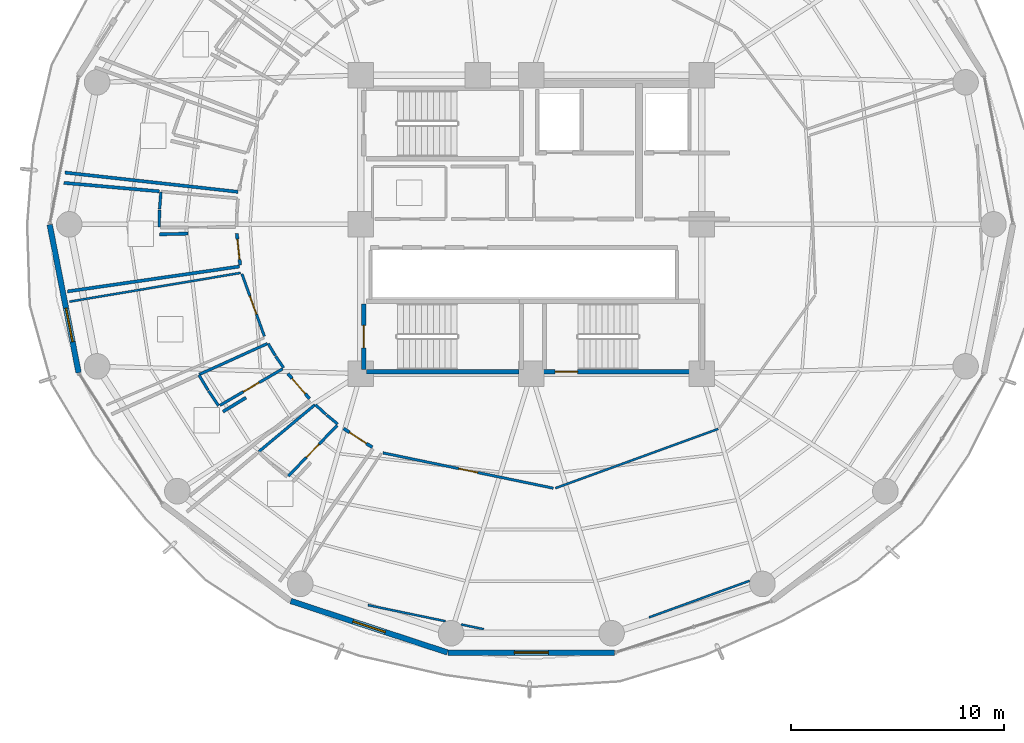
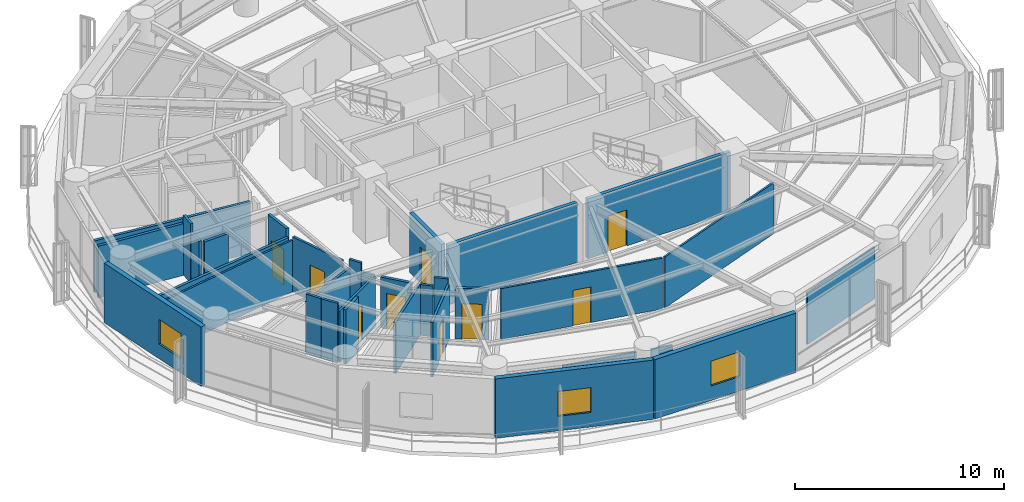
# One storey, part 21 of 28: 33 walls, 9 doors, 3 windows, 12 openings.
"""IFC4 building model written with IfcOpenShell, lengths in metres."""

from ifc_helpers import new_model, si_unit, direction, frame, frame_2d, origin, place, context, subcontext, project, spatial, rectangle, extrude, material, layer, layer_set, type_object, element, fill, save


model = new_model("IFC4")

# Units and contexts
model_context = context("Model", 3, precision=1e-05, world=origin(), true_north=direction((0.0, 1.0)))
body_context = subcontext(model_context, "Body", "Model", "MODEL_VIEW")
ifc_project = project(units=[si_unit("LENGTHUNIT", "METRE"), si_unit("AREAUNIT", "SQUARE_METRE"), si_unit("VOLUMEUNIT", "CUBIC_METRE"), si_unit("PLANEANGLEUNIT", "RADIAN"), si_unit("MASSUNIT", "GRAM", prefix="KILO")], contexts=[model_context])

# Site, building, storey
site_placement = place(None, origin())
site = spatial("IfcSite", under=ifc_project, at=site_placement, CompositionType="ELEMENT")
building_placement = place(site_placement, origin())
building = spatial("IfcBuilding", under=site, at=building_placement, Name="Kelanora Arch Commons", CompositionType="ELEMENT")
storey_placement = place(building_placement, frame((0.0, 0.0, 176.85009765625)))
storey = spatial("IfcBuildingStorey", under=building, at=storey_placement, Name="L45", CompositionType="ELEMENT", Elevation=176.85009765625)

# Wall, opening, door
ifc_material_1 = material(Name="Autoclaved aerated concrete blockwork with fire plaster", Category="masonry")
ifc_layer_1 = layer(ifc_material_1, 0.14990234375)
ifc_layer_set_1 = layer_set([ifc_layer_1], Name="Autoclaved aerated concrete blockwork with fire plaster")
wall_type_1 = type_object("IfcWallType", Name="W-COMP-150", PredefinedType="PARTITIONING", material=ifc_layer_set_1)
wall_1_placement = place(storey_placement, frame((60.182373046875, 57.568359375, 0.0), z_axis=(0.0, 0.0, 1.0), x_axis=(0.104940843895, -0.994478465972, 0.0)))
wall_1 = element("IfcWall", 1, at=wall_1_placement, inside=storey, type_object=wall_type_1, Name="Cluster Bedroom L45-04 Entry Partition", PredefinedType="PARTITIONING", context=body_context, shape_type="SweptSolid", body=[
    extrude(rectangle(XDim=1.489013671875, YDim=0.14990234375, at=frame_2d((0.74462890625, 0.0))), origin(), (0.0, 0.0, 1.0), 3.47998046875),
])
opening_1_placement = place(wall_1_placement, frame((0.26904296875, 0.0, 0.0)))
opening_1 = element("IfcOpeningElement", 2, at=opening_1_placement, cuts=wall_1, Name="Opening D-CLU1", PredefinedType="OPENING", context=body_context, shape_type="SweptSolid", body=[
    extrude(rectangle(XDim=0.949951171875, YDim=2.080078125, at=frame_2d((0.47509765625, 1.0400390625))), frame((0.0, 0.0849609375, 0.0), z_axis=(0.0, -1.0, 0.0), x_axis=(1.0, 0.0, 0.0)), (0.0, 0.0, 1.0), 0.169921875),
])
ifc_material_2 = material(Name="Solid-core acoustic timber cluster entry fire door", Category="wood")
door_type_1 = type_object("IfcDoorType", Name="D-CLU-95", OperationType="NOTDEFINED", PredefinedType="DOOR", material=ifc_material_2)
door_1_placement = place(opening_1_placement, origin())
door_1 = element("IfcDoor", 3, at=door_1_placement, inside=storey, type_object=door_type_1, Name="Cluster Bedroom L45-04 Door", OperationType="SINGLE_SWING_LEFT", OverallHeight=2.080078125, OverallWidth=0.949951171875, PredefinedType="DOOR", context=body_context, shape_type="SweptSolid", body=[
    extrude(rectangle(XDim=0.949951171875, YDim=2.080078125, at=frame_2d((0.47509765625, 1.0400390625))), frame((0.0, 0.02490234375, 0.0), z_axis=(0.0, -1.0, 0.0), x_axis=(1.0, 0.0, 0.0)), (0.0, 0.0, 1.0), 0.050048828125),
])
fill(opening_1, door_1)

wall_2_placement = place(storey_placement, frame((62.5771484375, 50.99853515625, 0.0), z_axis=(0.0, 0.0, 1.0), x_axis=(0.652725635782, -0.757594379859, 0.0)))
wall_2 = element("IfcWall", 4, at=wall_2_placement, inside=storey, type_object=wall_type_1, Name="Cluster Bedroom L45-06 Entry Partition", PredefinedType="PARTITIONING", context=body_context, shape_type="SweptSolid", body=[
    extrude(rectangle(XDim=1.557373046875, YDim=0.14990234375, at=frame_2d((0.77880859375, 0.0))), origin(), (0.0, 0.0, 1.0), 2.974853515625),
])
opening_2_placement = place(wall_2_placement, frame((0.303955078125, 0.0, 0.0)))
opening_2 = element("IfcOpeningElement", 5, at=opening_2_placement, cuts=wall_2, Name="Opening D-CLU1", PredefinedType="OPENING", context=body_context, shape_type="SweptSolid", body=[
    extrude(rectangle(XDim=0.949951171875, YDim=2.080078125, at=frame_2d((0.47509765625, 1.0400390625))), frame((0.0, 0.0849609375, 0.0), z_axis=(0.0, -1.0, 0.0), x_axis=(1.0, 0.0, 0.0)), (0.0, 0.0, 1.0), 0.169921875),
])
door_2_placement = place(opening_2_placement, origin())
door_2 = element("IfcDoor", 6, at=door_2_placement, inside=storey, type_object=door_type_1, Name="Cluster Bedroom L45-06 Door", OperationType="SINGLE_SWING_RIGHT", OverallHeight=2.080078125, OverallWidth=0.949951171875, PredefinedType="DOOR", context=body_context, shape_type="SweptSolid", body=[
    extrude(rectangle(XDim=0.949951171875, YDim=2.080078125, at=frame_2d((0.47509765625, 1.0400390625))), frame((0.0, 0.02490234375, 0.0), z_axis=(0.0, -1.0, 0.0), x_axis=(1.0, 0.0, 0.0)), (0.0, 0.0, 1.0), 0.050048828125),
])
fill(opening_2, door_2)

wall_3_placement = place(storey_placement, frame((65.1953125, 48.419189453125, 0.0), z_axis=(0.0, 0.0, 1.0), x_axis=(0.836324272787, -0.548235087118, 0.0)))
wall_3 = element("IfcWall", 7, at=wall_3_placement, inside=storey, type_object=wall_type_1, Name="Cluster Bedroom L45-07 Entry Partition", PredefinedType="PARTITIONING", context=body_context, shape_type="SweptSolid", body=[
    extrude(rectangle(XDim=1.607666015625, YDim=0.14990234375, at=frame_2d((0.8037109375, 0.0))), origin(), (0.0, 0.0, 1.0), 2.974853515625),
])
opening_3_placement = place(wall_3_placement, frame((0.3291015625, 0.0, 0.0)))
opening_3 = element("IfcOpeningElement", 8, at=opening_3_placement, cuts=wall_3, Name="Opening D-CLU1", PredefinedType="OPENING", context=body_context, shape_type="SweptSolid", body=[
    extrude(rectangle(XDim=0.949951171875, YDim=2.080078125, at=frame_2d((0.47509765625, 1.0400390625))), frame((0.0, 0.0849609375, 0.0), z_axis=(0.0, -1.0, 0.0), x_axis=(1.0, 0.0, 0.0)), (0.0, 0.0, 1.0), 0.169921875),
])
door_3_placement = place(opening_3_placement, origin())
door_3 = element("IfcDoor", 9, at=door_3_placement, inside=storey, type_object=door_type_1, Name="Cluster Bedroom L45-07 Door", OperationType="SINGLE_SWING_RIGHT", OverallHeight=2.080078125, OverallWidth=0.949951171875, PredefinedType="DOOR", context=body_context, shape_type="SweptSolid", body=[
    extrude(rectangle(XDim=0.949951171875, YDim=2.080078125, at=frame_2d((0.47509765625, 1.0400390625))), frame((0.0, 0.02490234375, 0.0), z_axis=(0.0, -1.0, 0.0), x_axis=(1.0, 0.0, 0.0)), (0.0, 0.0, 1.0), 0.050048828125),
])
fill(opening_3, door_3)

# Walls
wall_4_placement = place(storey_placement, frame((60.234130859375, 59.525390625, 0.0), z_axis=(0.0, 0.0, 1.0), x_axis=(-0.99385157858, 0.110720548017, 0.0)))
element("IfcWall", 10, at=wall_4_placement, inside=storey, type_object=wall_type_1, Name="Cluster Bedroom L45-03 Enclosure Partition 2", PredefinedType="PARTITIONING", context=body_context, shape_type="SweptSolid", body=[
    extrude(rectangle(XDim=8.158447265625, YDim=0.14990234375, at=frame_2d((4.0791015625, 0.0))), origin(), (0.0, 0.0, 1.0), 3.02490234375),
])
wall_5_placement = place(storey_placement, frame((60.305419921875, 56.022216796875, 0.0), z_axis=(0.0, 0.0, 1.0), x_axis=(-0.989635565405, -0.143601698061, 0.0)))
element("IfcWall", 11, at=wall_5_placement, inside=storey, type_object=wall_type_1, Name="Cluster Bedroom L45-04 Enclosure Partition 2", PredefinedType="PARTITIONING", context=body_context, shape_type="SweptSolid", body=[
    extrude(rectangle(XDim=8.150390625, YDim=0.14990234375, at=frame_2d((4.0751953125, 0.0))), origin(), (0.0, 0.0, 1.0), 3.02490234375),
])
wall_6_placement = place(storey_placement, frame((52.06591796875, 59.946533203125, 0.0), z_axis=(0.0, 0.0, 1.0), x_axis=(0.996054097512, -0.088748153952, 0.0)))
element("IfcWall", 12, at=wall_6_placement, inside=storey, type_object=wall_type_1, Name="Cluster Bedroom L45-04 Enclosure Partition 5", PredefinedType="PARTITIONING", context=body_context, shape_type="SweptSolid", body=[
    extrude(rectangle(XDim=4.4951171875, YDim=0.14990234375, at=frame_2d((2.24755859375, 0.0))), origin(), (0.0, 0.0, 1.0), 3.02490234375),
])
wall_7_placement = place(storey_placement, frame((56.547119140625, 57.530029296875, 0.0), z_axis=(0.0, 0.0, 1.0), x_axis=(0.999637471643, 0.026924436601, 0.0)))
element("IfcWall", 13, at=wall_7_placement, inside=storey, type_object=wall_type_1, Name="Cluster Bedroom L45-04 Enclosure Partition 7", PredefinedType="PARTITIONING", context=body_context, shape_type="SweptSolid", body=[
    extrude(rectangle(XDim=1.35107421875, YDim=0.14990234375, at=frame_2d((0.675537109375, 0.0))), origin(), (0.0, 0.0, 1.0), 3.1748046875),
])
wall_8_placement = place(storey_placement, frame((59.5302734375, 49.209716796875, 0.0), z_axis=(0.0, 0.0, 1.0), x_axis=(0.853704464487, 0.520757801012, 0.0)))
element("IfcWall", 14, at=wall_8_placement, inside=storey, type_object=wall_type_1, Name="Cluster Bedroom L45-06 Enclosure Partition 7", PredefinedType="PARTITIONING", context=body_context, shape_type="SweptSolid", body=[
    extrude(rectangle(XDim=1.27001953125, YDim=0.14990234375, at=frame_2d((0.635009765625, 0.0))), origin(), (0.0, 0.0, 1.0), 3.1748046875),
])

# Wall, opening, window
ifc_material_3 = material(Name="Precast concrete C40/50 with terracotta rainscreen", Category="masonry")
ifc_layer_2 = layer(ifc_material_3, 0.260009765625)
ifc_layer_set_2 = layer_set([ifc_layer_2], Name="Precast concrete C40/50 with terracotta rainscreen")
wall_type_2 = type_object("IfcWallType", Name="W-EXT-TC", PredefinedType="SOLIDWALL", material=ifc_layer_set_2)
wall_9_placement = place(storey_placement, frame((51.40283203125, 57.9853515625, 0.0), z_axis=(0.0, 0.0, 1.0), x_axis=(0.191716984769, -0.981450252306, 0.0)))
wall_9 = element("IfcWall", 15, at=wall_9_placement, inside=storey, type_object=wall_type_2, Name="Terracotta Exterior Wall L45-B09", PredefinedType="SOLIDWALL", context=body_context, shape_type="SweptSolid", body=[
    extrude(rectangle(XDim=7.0791015625, YDim=0.260009765625, at=frame_2d((3.53955078125, 0.0))), origin(), (0.0, 0.0, 1.0), 3.474853515625),
])
opening_4_placement = place(wall_9_placement, frame((4.0, 0.0, 0.85009765625)))
opening_4 = element("IfcOpeningElement", 16, at=opening_4_placement, cuts=wall_9, Name="Opening WN-01", PredefinedType="OPENING", context=body_context, shape_type="SweptSolid", body=[
    extrude(rectangle(XDim=1.60009765625, YDim=1.449951171875, at=frame_2d((0.800048828125, 0.72509765625))), frame((0.0, 0.14013671875, 0.0), z_axis=(0.0, -1.0, 0.0), x_axis=(1.0, 0.0, 0.0)), (0.0, 0.0, 1.0), 0.280029296875),
])
ifc_material_4 = material(Name="Terracotta-anodised aluminium frame with operable low-E glazing", Category="masonry")
window_type = type_object("IfcWindowType", Name="WIN-CL-18", PartitioningType="DOUBLE_PANEL_VERTICAL", PredefinedType="WINDOW", material=ifc_material_4)
window_1_placement = place(opening_4_placement, origin())
window_1 = element("IfcWindow", 17, at=window_1_placement, inside=storey, type_object=window_type, Name="Co-Living Operable Window L45-B09", OverallHeight=1.449951171875, OverallWidth=1.60009765625, PartitioningType="SINGLE_PANEL", PredefinedType="WINDOW", context=body_context, shape_type="SweptSolid", body=[
    extrude(rectangle(XDim=1.60009765625, YDim=1.449951171875, at=frame_2d((0.800048828125, 0.72509765625))), frame((0.0, 0.030029296875, 0.0), z_axis=(0.0, -1.0, 0.0), x_axis=(1.0, 0.0, 0.0)), (0.0, 0.0, 1.0), 0.06005859375),
])
fill(opening_4, window_1)

wall_10_placement = place(storey_placement, frame((62.71435546875, 40.328369140625, 0.0), z_axis=(0.0, 0.0, 1.0), x_axis=(0.950038302428, -0.312133343173, 0.0)))
wall_10 = element("IfcWall", 18, at=wall_10_placement, inside=storey, type_object=wall_type_2, Name="Terracotta Exterior Wall L45-B12", PredefinedType="SOLIDWALL", context=body_context, shape_type="SweptSolid", body=[
    extrude(rectangle(XDim=7.7333984375, YDim=0.260009765625, at=frame_2d((3.86669921875, 0.0))), origin(), (0.0, 0.0, 1.0), 3.474853515625),
])
opening_5_placement = place(wall_10_placement, frame((3.06689453125, 0.0, 0.85009765625)))
opening_5 = element("IfcOpeningElement", 19, at=opening_5_placement, cuts=wall_10, Name="Opening WN-01", PredefinedType="OPENING", context=body_context, shape_type="SweptSolid", body=[
    extrude(rectangle(XDim=1.60009765625, YDim=1.449951171875, at=frame_2d((0.800048828125, 0.72509765625))), frame((0.0, 0.14013671875, 0.0), z_axis=(0.0, -1.0, 0.0), x_axis=(1.0, 0.0, 0.0)), (0.0, 0.0, 1.0), 0.280029296875),
])
window_2_placement = place(opening_5_placement, origin())
window_2 = element("IfcWindow", 20, at=window_2_placement, inside=storey, type_object=window_type, Name="Co-Living Operable Window L45-B12", OverallHeight=1.449951171875, OverallWidth=1.60009765625, PartitioningType="SINGLE_PANEL", PredefinedType="WINDOW", context=body_context, shape_type="SweptSolid", body=[
    extrude(rectangle(XDim=1.60009765625, YDim=1.449951171875, at=frame_2d((0.800048828125, 0.72509765625))), frame((0.0, 0.030029296875, 0.0), z_axis=(0.0, -1.0, 0.0), x_axis=(1.0, 0.0, 0.0)), (0.0, 0.0, 1.0), 0.06005859375),
])
fill(opening_5, window_2)

wall_11_placement = place(storey_placement, frame((70.090576171875, 37.909912109375, 0.0), z_axis=(0.0, 0.0, 1.0), x_axis=(1.0, 0.0, 0.0)))
wall_11 = element("IfcWall", 21, at=wall_11_placement, inside=storey, type_object=wall_type_2, Name="Terracotta Exterior Wall L45-B13", PredefinedType="SOLIDWALL", context=body_context, shape_type="SweptSolid", body=[
    extrude(rectangle(XDim=7.81884765625, YDim=0.260009765625, at=frame_2d((3.909423828125, 0.0))), origin(), (0.0, 0.0, 1.0), 3.474853515625),
])
opening_6_placement = place(wall_11_placement, frame((3.10888671875, 0.0, 0.85009765625)))
opening_6 = element("IfcOpeningElement", 22, at=opening_6_placement, cuts=wall_11, Name="Opening WN-01", PredefinedType="OPENING", context=body_context, shape_type="SweptSolid", body=[
    extrude(rectangle(XDim=1.60009765625, YDim=1.449951171875, at=frame_2d((0.800048828125, 0.72509765625))), frame((0.0, 0.14013671875, 0.0), z_axis=(0.0, -1.0, 0.0), x_axis=(1.0, 0.0, 0.0)), (0.0, 0.0, 1.0), 0.280029296875),
])
window_3_placement = place(opening_6_placement, origin())
window_3 = element("IfcWindow", 23, at=window_3_placement, inside=storey, type_object=window_type, Name="Co-Living Operable Window L45-B13", OverallHeight=1.449951171875, OverallWidth=1.60009765625, PartitioningType="SINGLE_PANEL", PredefinedType="WINDOW", context=body_context, shape_type="SweptSolid", body=[
    extrude(rectangle(XDim=1.60009765625, YDim=1.449951171875, at=frame_2d((0.800048828125, 0.72509765625))), frame((0.0, 0.030029296875, 0.0), z_axis=(0.0, -1.0, 0.0), x_axis=(1.0, 0.0, 0.0)), (0.0, 0.0, 1.0), 0.06005859375),
])
fill(opening_6, window_3)

# Walls
ifc_material_5 = material(Name="Lightweight fire-rated acoustic stud partition")
ifc_layer_3 = layer(ifc_material_5, 0.10009765625)
ifc_layer_set_3 = layer_set([ifc_layer_3], Name="Lightweight fire-rated acoustic stud partition")
wall_type_3 = type_object("IfcWallType", Name="W-PART-100", PredefinedType="PARTITIONING", material=ifc_layer_set_3)
wall_12_placement = place(storey_placement, frame((75.128662109375, 45.622802734375, 0.0), z_axis=(0.0, 0.0, 1.0), x_axis=(0.939734662541, 0.341904612458, 0.0)))
element("IfcWall", 24, at=wall_12_placement, inside=storey, type_object=wall_type_3, Name="South-East Shared Study Commons L45 Enclosure Partition 2", PredefinedType="PARTITIONING", context=body_context, shape_type="SweptSolid", body=[
    extrude(rectangle(XDim=8.129638671875, YDim=0.10009765625, at=frame_2d((4.06494140625, 0.0))), origin(), (0.0, 0.0, 1.0), 2.974853515625),
])
wall_13_placement = place(storey_placement, frame((84.232421875, 41.2763671875, 0.0), z_axis=(0.0, 0.0, 1.0), x_axis=(-0.939540154598, -0.34243875058, 0.0)))
element("IfcWall", 25, at=wall_13_placement, inside=storey, type_object=wall_type_3, Name="South-East Shared Study Commons L45 Enclosure Partition 8", PredefinedType="PARTITIONING", context=body_context, shape_type="SweptSolid", body=[
    extrude(rectangle(XDim=5.014892578125, YDim=0.10009765625, at=frame_2d((2.50732421875, 0.0))), origin(), (0.0, 0.0, 1.0), 3.02490234375),
])
wall_14_placement = place(storey_placement, frame((71.762939453125, 39.00830078125, 0.0), z_axis=(0.0, 0.0, 1.0), x_axis=(-0.9791024376, 0.203367688401, 0.0)))
element("IfcWall", 26, at=wall_14_placement, inside=storey, type_object=wall_type_3, Name="South-East Shared Study Commons L45 Enclosure Partition 9", PredefinedType="PARTITIONING", context=body_context, shape_type="SweptSolid", body=[
    extrude(rectangle(XDim=1.080322265625, YDim=0.10009765625, at=frame_2d((0.5400390625, 0.0))), origin(), (0.0, 0.0, 1.0), 3.02490234375),
])
wall_15_placement = place(storey_placement, frame((69.968505859375, 39.381103515625, 0.0), z_axis=(0.0, 0.0, 1.0), x_axis=(-0.979112814655, 0.203317722241, 0.0)))
element("IfcWall", 27, at=wall_15_placement, inside=storey, type_object=wall_type_3, Name="South-East Shared Study Commons L45 Enclosure Partition 9", PredefinedType="PARTITIONING", context=body_context, shape_type="SweptSolid", body=[
    extrude(rectangle(XDim=3.706787109375, YDim=0.10009765625, at=frame_2d((1.853515625, 0.0))), origin(), (0.0, 0.0, 1.0), 3.02490234375),
])
wall_16_placement = place(storey_placement, frame((52.331298828125, 54.37353515625, 0.0), z_axis=(0.0, 0.0, 1.0), x_axis=(0.986190638786, 0.165614081438, 0.0)))
element("IfcWall", 28, at=wall_16_placement, inside=storey, type_object=wall_type_3, Name="Shared Cluster Kitchen L45-05 Enclosure Partition 4", PredefinedType="PARTITIONING", context=body_context, shape_type="SweptSolid", body=[
    extrude(rectangle(XDim=8.144775390625, YDim=0.10009765625, at=frame_2d((4.072265625, 0.0))), origin(), (0.0, 0.0, 1.0), 3.02490234375),
])

# Wall, opening, door
ifc_material_6 = material(Name="Acoustic twin-stud fire-rated gypsum partition")
ifc_layer_4 = layer(ifc_material_6, 0.1201171875)
ifc_layer_set_4 = layer_set([ifc_layer_4], Name="Acoustic twin-stud fire-rated gypsum partition")
wall_type_4 = type_object("IfcWallType", Name="W-PART-120", PredefinedType="PARTITIONING", material=ifc_layer_set_4)
wall_17_placement = place(storey_placement, frame((67.039794921875, 47.27783203125, 0.0), z_axis=(0.0, 0.0, 1.0), x_axis=(0.979184226645, -0.202973521154, 0.0)))
wall_17 = element("IfcWall", 29, at=wall_17_placement, inside=storey, type_object=wall_type_4, Name="South-East Shared Study Commons L45 Entry Partition", PredefinedType="PARTITIONING", context=body_context, shape_type="SweptSolid", body=[
    extrude(rectangle(XDim=8.162353515625, YDim=0.1201171875, at=frame_2d((4.0810546875, 0.0))), origin(), (0.0, 0.0, 1.0), 2.974853515625),
])
opening_7_placement = place(wall_17_placement, frame((3.631103515625, 0.0, 0.0)))
opening_7 = element("IfcOpeningElement", 30, at=opening_7_placement, cuts=wall_17, Name="Opening D-RM1", PredefinedType="OPENING", context=body_context, shape_type="SweptSolid", body=[
    extrude(rectangle(XDim=0.89990234375, YDim=2.080078125, at=frame_2d((0.449951171875, 1.0400390625))), frame((0.0, 0.070068359375, 0.0), z_axis=(0.0, -1.0, 0.0), x_axis=(1.0, 0.0, 0.0)), (0.0, 0.0, 1.0), 0.14013671875),
])
ifc_material_7 = material(Name="Acoustic fire-rated timber study and lounge door", Category="wood")
door_type_2 = type_object("IfcDoorType", Name="D-ROOM-90", OperationType="NOTDEFINED", PredefinedType="DOOR", material=ifc_material_7)
door_4_placement = place(opening_7_placement, origin())
door_4 = element("IfcDoor", 31, at=door_4_placement, inside=storey, type_object=door_type_2, Name="South-East Shared Study Commons L45 Door", OperationType="SINGLE_SWING_RIGHT", OverallHeight=2.080078125, OverallWidth=0.89990234375, PredefinedType="DOOR", context=body_context, shape_type="SweptSolid", body=[
    extrude(rectangle(XDim=0.89990234375, YDim=2.080078125, at=frame_2d((0.449951171875, 1.0400390625))), frame((0.0, 0.02490234375, 0.0), z_axis=(0.0, -1.0, 0.0), x_axis=(1.0, 0.0, 0.0)), (0.0, 0.0, 1.0), 0.050048828125),
])
fill(opening_7, door_4)

wall_18_placement = place(storey_placement, frame((60.42333984375, 55.672607421875, 0.0), z_axis=(0.0, 0.0, 1.0), x_axis=(0.338221551274, -0.941066513193, 0.0)))
wall_18 = element("IfcWall", 32, at=wall_18_placement, inside=storey, type_object=wall_type_4, Name="Shared Cluster Kitchen L45-05 Entry Partition", PredefinedType="PARTITIONING", context=body_context, shape_type="SweptSolid", body=[
    extrude(rectangle(XDim=3.108154296875, YDim=0.1201171875, at=frame_2d((1.55419921875, 0.0))), origin(), (0.0, 0.0, 1.0), 3.23486328125),
])
opening_8_placement = place(wall_18_placement, frame((1.10400390625, 0.0, 0.0)))
opening_8 = element("IfcOpeningElement", 33, at=opening_8_placement, cuts=wall_18, Name="Opening D-RM1", PredefinedType="OPENING", context=body_context, shape_type="SweptSolid", body=[
    extrude(rectangle(XDim=0.89990234375, YDim=2.080078125, at=frame_2d((0.449951171875, 1.0400390625))), frame((0.0, 0.070068359375, 0.0), z_axis=(0.0, -1.0, 0.0), x_axis=(1.0, 0.0, 0.0)), (0.0, 0.0, 1.0), 0.14013671875),
])
door_5_placement = place(opening_8_placement, origin())
door_5 = element("IfcDoor", 34, at=door_5_placement, inside=storey, type_object=door_type_2, Name="Shared Cluster Kitchen L45-05 Door", OperationType="SINGLE_SWING_RIGHT", OverallHeight=2.080078125, OverallWidth=0.89990234375, PredefinedType="DOOR", context=body_context, shape_type="SweptSolid", body=[
    extrude(rectangle(XDim=0.89990234375, YDim=2.080078125, at=frame_2d((0.449951171875, 1.0400390625))), frame((0.0, 0.02490234375, 0.0), z_axis=(0.0, -1.0, 0.0), x_axis=(1.0, 0.0, 0.0)), (0.0, 0.0, 1.0), 0.050048828125),
])
fill(opening_8, door_5)

ifc_material_8 = material(Name="Concrete C40/50", Category="concrete")
ifc_layer_5 = layer(ifc_material_8, 0.199951171875)
ifc_layer_set_5 = layer_set([ifc_layer_5], Name="Concrete C40/50")
wall_type_5 = type_object("IfcWallType", Name="W-STAIR-200", PredefinedType="SHEAR", material=ifc_layer_set_5)
wall_19_placement = place(storey_placement, frame((74.0, 51.080078125, 0.0), z_axis=(0.0, 0.0, 1.0), x_axis=(1.0, 0.0, 0.0)))
wall_19 = element("IfcWall", 35, at=wall_19_placement, inside=storey, type_object=wall_type_5, Name="Stair ST-T2 Shaft Wall S L45", PredefinedType="SHEAR", context=body_context, shape_type="SweptSolid", body=[
    extrude(rectangle(XDim=7.89990234375, YDim=0.199951171875, at=frame_2d((3.949951171875, 0.0))), origin(), (0.0, 0.0, 1.0), 3.489990234375),
])
opening_9_placement = place(wall_19_placement, frame((1.1201171875, 0.0, 0.0)))
opening_9 = element("IfcOpeningElement", 36, at=opening_9_placement, cuts=wall_19, Name="Opening D-ST1", PredefinedType="OPENING", context=body_context, shape_type="SweptSolid", body=[
    extrude(rectangle(XDim=1.050048828125, YDim=2.10009765625, at=frame_2d((0.52490234375, 1.050048828125))), frame((0.0, 0.10986328125, 0.0), z_axis=(0.0, -1.0, 0.0), x_axis=(1.0, 0.0, 0.0)), (0.0, 0.0, 1.0), 0.219970703125),
])
ifc_material_9 = material(Name="Steel fire-rated stairwell escape door", Category="steel")
door_type_3 = type_object("IfcDoorType", Name="D-STAIR-110", OperationType="NOTDEFINED", PredefinedType="DOOR", material=ifc_material_9)
door_6_placement = place(opening_9_placement, origin())
door_6 = element("IfcDoor", 37, at=door_6_placement, inside=storey, type_object=door_type_3, Name="Stair ST-T2 Escape Door L45", OperationType="SINGLE_SWING_LEFT", OverallHeight=2.10009765625, OverallWidth=1.050048828125, PredefinedType="DOOR", context=body_context, shape_type="SweptSolid", body=[
    extrude(rectangle(XDim=1.050048828125, YDim=2.10009765625, at=frame_2d((0.52490234375, 1.050048828125))), frame((0.0, 0.02490234375, 0.0), z_axis=(0.0, -1.0, 0.0), x_axis=(1.0, 0.0, 0.0)), (0.0, 0.0, 1.0), 0.050048828125),
])
fill(opening_9, door_6)

# Wall
wall_20_placement = place(storey_placement, frame((66.260009765625, 51.080078125, 0.0), z_axis=(0.0, 0.0, 1.0), x_axis=(1.0, 0.0, 0.0)))
element("IfcWall", 38, at=wall_20_placement, inside=storey, type_object=wall_type_5, Name="Stair ST-T3 Shaft Wall S L45", PredefinedType="SHEAR", context=body_context, shape_type="SweptSolid", body=[
    extrude(rectangle(XDim=7.159912109375, YDim=0.199951171875, at=frame_2d((3.580078125, 0.0))), origin(), (0.0, 0.0, 1.0), 3.489990234375),
])

# Wall, opening, door
wall_21_placement = place(storey_placement, frame((66.139892578125, 54.27001953125, 0.0), z_axis=(0.0, 0.0, 1.0), x_axis=(0.0, -1.0, 0.0)))
wall_21 = element("IfcWall", 39, at=wall_21_placement, inside=storey, type_object=wall_type_5, Name="Stair ST-T3 Shaft Wall W L45", PredefinedType="SHEAR", context=body_context, shape_type="SweptSolid", body=[
    extrude(rectangle(XDim=3.070068359375, YDim=0.199951171875, at=frame_2d((1.53515625, 0.0))), origin(), (0.0, 0.0, 1.0), 3.489990234375),
])
opening_10_placement = place(wall_21_placement, frame((1.010009765625, 0.0, 0.0)))
opening_10 = element("IfcOpeningElement", 40, at=opening_10_placement, cuts=wall_21, Name="Opening D-ST1", PredefinedType="OPENING", context=body_context, shape_type="SweptSolid", body=[
    extrude(rectangle(XDim=1.050048828125, YDim=2.10009765625, at=frame_2d((0.52490234375, 1.050048828125))), frame((0.0, 0.10986328125, 0.0), z_axis=(0.0, -1.0, 0.0), x_axis=(1.0, 0.0, 0.0)), (0.0, 0.0, 1.0), 0.219970703125),
])
door_7_placement = place(opening_10_placement, origin())
door_7 = element("IfcDoor", 41, at=door_7_placement, inside=storey, type_object=door_type_3, Name="Stair ST-T3 Escape Door L45", OperationType="SINGLE_SWING_LEFT", OverallHeight=2.10009765625, OverallWidth=1.050048828125, PredefinedType="DOOR", context=body_context, shape_type="SweptSolid", body=[
    extrude(rectangle(XDim=1.050048828125, YDim=2.10009765625, at=frame_2d((0.52490234375, 1.050048828125))), frame((0.0, 0.02490234375, 0.0), z_axis=(0.0, -1.0, 0.0), x_axis=(1.0, 0.0, 0.0)), (0.0, 0.0, 1.0), 0.050048828125),
])
fill(opening_10, door_7)

ifc_material_10 = material(Name="Moisture-resistant fire-rated cement-board plumbing wall")
ifc_layer_6 = layer(ifc_material_10, 0.1298828125)
ifc_layer_set_6 = layer_set([ifc_layer_6], Name="Moisture-resistant fire-rated cement-board plumbing wall")
wall_type_6 = type_object("IfcWallType", Name="W-WET-120", PredefinedType="PLUMBINGWALL", material=ifc_layer_set_6)
wall_22_placement = place(storey_placement, frame((62.333251953125, 51.2216796875, 0.0), z_axis=(0.0, 0.0, 1.0), x_axis=(-0.863869779697, -0.503715201008, 0.0)))
wall_22 = element("IfcWall", 42, at=wall_22_placement, inside=storey, type_object=wall_type_6, Name="En-Suite Shower WC L45-06 Entry Partition", PredefinedType="PLUMBINGWALL", context=body_context, shape_type="SweptSolid", body=[
    extrude(rectangle(XDim=3.40966796875, YDim=0.1298828125, at=frame_2d((1.704833984375, 0.0))), origin(), (0.0, 0.0, 1.0), 2.974853515625),
])
opening_11_placement = place(wall_22_placement, frame((1.27490234375, 0.0, 0.0)))
opening_11 = element("IfcOpeningElement", 43, at=opening_11_placement, cuts=wall_22, Name="Opening D-BT1", PredefinedType="OPENING", context=body_context, shape_type="SweptSolid", body=[
    extrude(rectangle(XDim=0.860107421875, YDim=2.050048828125, at=frame_2d((0.43017578125, 1.02490234375))), frame((0.0, 0.074951171875, 0.0), z_axis=(0.0, -1.0, 0.0), x_axis=(1.0, 0.0, 0.0)), (0.0, 0.0, 1.0), 0.14990234375),
])
ifc_material_11 = material(Name="Moisture-sealed fire-rated accessible bathroom door")
door_type_4 = type_object("IfcDoorType", Name="D-BATH-85", OperationType="NOTDEFINED", PredefinedType="DOOR", material=ifc_material_11)
door_8_placement = place(opening_11_placement, origin())
door_8 = element("IfcDoor", 44, at=door_8_placement, inside=storey, type_object=door_type_4, Name="En-Suite Shower WC L45-06 Door", OperationType="SINGLE_SWING_LEFT", OverallHeight=2.050048828125, OverallWidth=0.860107421875, PredefinedType="DOOR", context=body_context, shape_type="SweptSolid", body=[
    extrude(rectangle(XDim=0.860107421875, YDim=2.050048828125, at=frame_2d((0.43017578125, 1.02490234375))), frame((0.0, 0.02490234375, 0.0), z_axis=(0.0, -1.0, 0.0), x_axis=(1.0, 0.0, 0.0)), (0.0, 0.0, 1.0), 0.050048828125),
])
fill(opening_11, door_8)

wall_23_placement = place(storey_placement, frame((64.891357421875, 48.57080078125, 0.0), z_axis=(0.0, 0.0, 1.0), x_axis=(-0.69341503006, -0.720538407086, 0.0)))
wall_23 = element("IfcWall", 45, at=wall_23_placement, inside=storey, type_object=wall_type_6, Name="En-Suite Shower WC L45-07 Entry Partition", PredefinedType="PLUMBINGWALL", context=body_context, shape_type="SweptSolid", body=[
    extrude(rectangle(XDim=3.3125, YDim=0.1298828125, at=frame_2d((1.65625, 0.0))), origin(), (0.0, 0.0, 1.0), 3.1748046875),
])
opening_12_placement = place(wall_23_placement, frame((1.22607421875, 0.0, 0.0)))
opening_12 = element("IfcOpeningElement", 46, at=opening_12_placement, cuts=wall_23, Name="Opening D-BT1", PredefinedType="OPENING", context=body_context, shape_type="SweptSolid", body=[
    extrude(rectangle(XDim=0.860107421875, YDim=2.050048828125, at=frame_2d((0.43017578125, 1.02490234375))), frame((0.0, 0.074951171875, 0.0), z_axis=(0.0, -1.0, 0.0), x_axis=(1.0, 0.0, 0.0)), (0.0, 0.0, 1.0), 0.14990234375),
])
door_9_placement = place(opening_12_placement, origin())
door_9 = element("IfcDoor", 47, at=door_9_placement, inside=storey, type_object=door_type_4, Name="En-Suite Shower WC L45-07 Door", OperationType="SINGLE_SWING_LEFT", OverallHeight=2.050048828125, OverallWidth=0.860107421875, PredefinedType="DOOR", context=body_context, shape_type="SweptSolid", body=[
    extrude(rectangle(XDim=0.860107421875, YDim=2.050048828125, at=frame_2d((0.43017578125, 1.02490234375))), frame((0.0, 0.02490234375, 0.0), z_axis=(0.0, -1.0, 0.0), x_axis=(1.0, 0.0, 0.0)), (0.0, 0.0, 1.0), 0.050048828125),
])
fill(opening_12, door_9)

# Walls
wall_24_placement = place(storey_placement, frame((56.540283203125, 57.864990234375, 0.0), z_axis=(0.0, 0.0, 1.0), x_axis=(0.019006825377, 0.999819353978, 0.0)))
element("IfcWall", 48, at=wall_24_placement, inside=storey, type_object=wall_type_6, Name="En-Suite Shower WC L45-04 Enclosure Partition 4", PredefinedType="PLUMBINGWALL", context=body_context, shape_type="SweptSolid", body=[
    extrude(rectangle(XDim=0.809326171875, YDim=0.1298828125, at=frame_2d((0.40478515625, 0.0))), origin(), (0.0, 0.0, 1.0), 2.974853515625),
])
wall_25_placement = place(storey_placement, frame((56.5576171875, 58.7138671875, 0.0), z_axis=(0.0, 0.0, 1.0), x_axis=(0.078797232985, 0.996890664052, 0.0)))
element("IfcWall", 49, at=wall_25_placement, inside=storey, type_object=wall_type_6, Name="En-Suite Shower WC L45-04 Enclosure Partition 5", PredefinedType="PLUMBINGWALL", context=body_context, shape_type="SweptSolid", body=[
    extrude(rectangle(XDim=0.80859375, YDim=0.1298828125, at=frame_2d((0.404296875, 0.0))), origin(), (0.0, 0.0, 1.0), 3.47998046875),
])
wall_26_placement = place(storey_placement, frame((61.6533203125, 52.40087890625, 0.0), z_axis=(0.0, 0.0, 1.0), x_axis=(0.513279564627, -0.858221468233, 0.0)))
element("IfcWall", 50, at=wall_26_placement, inside=storey, type_object=wall_type_6, Name="En-Suite Shower WC L45-06 Enclosure Partition 1", PredefinedType="PLUMBINGWALL", context=body_context, shape_type="SweptSolid", body=[
    extrude(rectangle(XDim=0.649658203125, YDim=0.1298828125, at=frame_2d((0.32470703125, 0.0))), origin(), (0.0, 0.0, 1.0), 3.47998046875),
])
wall_27_placement = place(storey_placement, frame((62.00830078125, 51.809326171875, 0.0), z_axis=(0.0, 0.0, 1.0), x_axis=(0.559954578189, -0.828523307074, 0.0)))
element("IfcWall", 51, at=wall_27_placement, inside=storey, type_object=wall_type_6, Name="En-Suite Shower WC L45-06 Enclosure Partition 2", PredefinedType="PLUMBINGWALL", context=body_context, shape_type="SweptSolid", body=[
    extrude(rectangle(XDim=0.652587890625, YDim=0.1298828125, at=frame_2d((0.326171875, 0.0))), origin(), (0.0, 0.0, 1.0), 2.974853515625),
])
wall_28_placement = place(storey_placement, frame((59.32470703125, 49.490478515625, 0.0), z_axis=(0.0, 0.0, 1.0), x_axis=(-0.560686624686, 0.828028084607, 0.0)))
element("IfcWall", 52, at=wall_28_placement, inside=storey, type_object=wall_type_6, Name="En-Suite Shower WC L45-06 Enclosure Partition 4", PredefinedType="PLUMBINGWALL", context=body_context, shape_type="SweptSolid", body=[
    extrude(rectangle(XDim=0.835693359375, YDim=0.1298828125, at=frame_2d((0.41796875, 0.0))), origin(), (0.0, 0.0, 1.0), 3.47998046875),
])
wall_29_placement = place(storey_placement, frame((58.834716796875, 50.21630859375, 0.0), z_axis=(0.0, 0.0, 1.0), x_axis=(-0.512289710711, 0.858812699196, 0.0)))
element("IfcWall", 53, at=wall_29_placement, inside=storey, type_object=wall_type_6, Name="En-Suite Shower WC L45-06 Enclosure Partition 5", PredefinedType="PLUMBINGWALL", context=body_context, shape_type="SweptSolid", body=[
    extrude(rectangle(XDim=0.83056640625, YDim=0.1298828125, at=frame_2d((0.415283203125, 0.0))), origin(), (0.0, 0.0, 1.0), 3.47998046875),
])
wall_30_placement = place(storey_placement, frame((58.417236328125, 50.955322265625, 0.0), z_axis=(0.0, 0.0, 1.0), x_axis=(0.910753048359, 0.412951431654, 0.0)))
element("IfcWall", 54, at=wall_30_placement, inside=storey, type_object=wall_type_6, Name="En-Suite Shower WC L45-06 Enclosure Partition 6", PredefinedType="PLUMBINGWALL", context=body_context, shape_type="SweptSolid", body=[
    extrude(rectangle(XDim=3.521728515625, YDim=0.1298828125, at=frame_2d((1.7607421875, 0.0))), origin(), (0.0, 0.0, 1.0), 2.974853515625),
])
wall_31_placement = place(storey_placement, frame((63.874755859375, 49.534423828125, 0.0), z_axis=(0.0, 0.0, 1.0), x_axis=(0.736047371117, -0.676930031444, 0.0)))
element("IfcWall", 55, at=wall_31_placement, inside=storey, type_object=wall_type_6, Name="En-Suite Shower WC L45-07 Enclosure Partition 1", PredefinedType="PLUMBINGWALL", context=body_context, shape_type="SweptSolid", body=[
    extrude(rectangle(XDim=0.6689453125, YDim=0.1298828125, at=frame_2d((0.33447265625, 0.0))), origin(), (0.0, 0.0, 1.0), 2.974853515625),
])
wall_32_placement = place(storey_placement, frame((64.3974609375, 49.055419921875, 0.0), z_axis=(0.0, 0.0, 1.0), x_axis=(0.771595512941, -0.636113483908, 0.0)))
element("IfcWall", 56, at=wall_32_placement, inside=storey, type_object=wall_type_6, Name="En-Suite Shower WC L45-07 Enclosure Partition 2", PredefinedType="PLUMBINGWALL", context=body_context, shape_type="SweptSolid", body=[
    extrude(rectangle(XDim=0.674072265625, YDim=0.1298828125, at=frame_2d((0.3369140625, 0.0))), origin(), (0.0, 0.0, 1.0), 3.47998046875),
])
wall_33_placement = place(storey_placement, frame((61.21240234375, 47.333740234375, 0.0), z_axis=(0.0, 0.0, 1.0), x_axis=(0.767100423645, 0.641527037656, 0.0)))
element("IfcWall", 57, at=wall_33_placement, inside=storey, type_object=wall_type_6, Name="En-Suite Shower WC L45-07 Enclosure Partition 6", PredefinedType="PLUMBINGWALL", context=body_context, shape_type="SweptSolid", body=[
    extrude(rectangle(XDim=3.431640625, YDim=0.1298828125, at=frame_2d((1.7158203125, 0.0))), origin(), (0.0, 0.0, 1.0), 2.974853515625),
])

save(model, "model.ifc")
